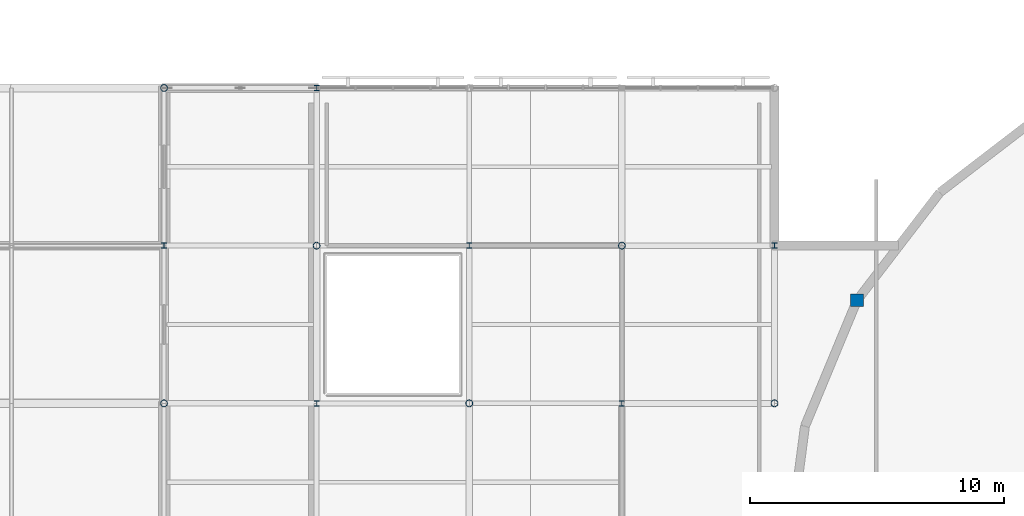
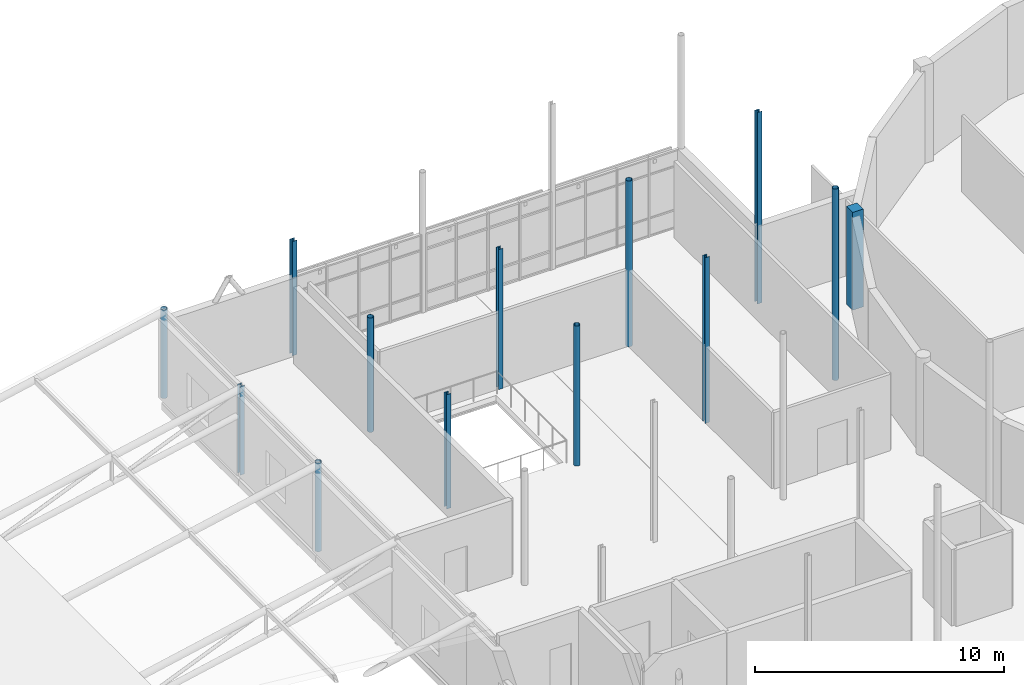
# One storey, part 8 of 66: 13 columns.
"""IFC4 building model written with IfcOpenShell, lengths in metres."""

import ifcopenshell
import ifcopenshell.guid

model = None  # the IFC model being written
_history = None  # IfcOwnerHistory: only IFC2X3 demands one
_inside = {}  # id of a spatial element -> (the spatial element, [elements in it])
_under = {}  # id of a project, library or spatial element -> (it, [spatial elements below it])
_declared = {}  # id of a project -> (the project, [libraries it declares])
_typed = {}  # id of a type object -> (the type object, [elements of that type])
_made_of = {}  # id of a material, layer set ... -> (it, [elements and type objects made of it])


def new_model(schema):
    """Start an empty IFC model of exactly this schema.

    Asked for "IFC4X3", IfcOpenShell would pick the latest addendum, in which some entities
    have other attributes; the version numbers below select the first issue.
    IFC2X3 requires an IfcOwnerHistory on every rooted entity: one is made here for all.
    """
    global model, _history
    if schema == "IFC4X3":
        model = ifcopenshell.file(schema_version=(4, 3, 0, 0))
    else:
        model = ifcopenshell.file(schema=schema)
    _inside.clear()
    _under.clear()
    _declared.clear()
    _typed.clear()
    _made_of.clear()
    _history = None
    if model.schema == "IFC2X3":
        org = make("IfcOrganization", Name="unknown")
        user = make(
            "IfcPersonAndOrganization",
            ThePerson=make("IfcPerson", FamilyName="unknown"),
            TheOrganization=org,
        )
        app = make(
            "IfcApplication",
            ApplicationDeveloper=org,
            Version="unknown",
            ApplicationFullName="unknown",
            ApplicationIdentifier="unknown",
        )
        _history = make(
            "IfcOwnerHistory",
            OwningUser=user,
            OwningApplication=app,
            ChangeAction="ADDED",
            CreationDate=0,
        )
    return model


def make(cls, **values):
    """One entity of the class cls with the attributes given. An attribute that is None is left unset."""
    return model.create_entity(
        cls, **{name: value for name, value in values.items() if value is not None}
    )


def rooted(cls, **values):
    """An entity with a GlobalId (a new one), such as an element, a storey or a relation."""
    return make(cls, GlobalId=ifcopenshell.guid.new(), OwnerHistory=_history, **values)


def si_unit(unit_type, name, prefix=None):
    """IfcSIUnit, for example si_unit("LENGTHUNIT", "METRE", prefix="MILLI")."""
    return make("IfcSIUnit", UnitType=unit_type, Prefix=prefix, Name=name)


def assignment(units):
    """IfcUnitAssignment: the units of a project."""
    return None if units is None else make("IfcUnitAssignment", Units=units)


def point(xyz):
    """IfcCartesianPoint."""
    return None if xyz is None else make("IfcCartesianPoint", Coordinates=xyz)


def direction(xyz):
    """IfcDirection."""
    return None if xyz is None else make("IfcDirection", DirectionRatios=xyz)


def frame(location, z_axis=None, x_axis=None):
    """IfcAxis2Placement3D, a coordinate frame: its origin and axes. An axis left out is left unset."""
    return make(
        "IfcAxis2Placement3D",
        Location=point(location),
        Axis=direction(z_axis),
        RefDirection=direction(x_axis),
    )


def frame_2d(location, x_axis=None):
    """IfcAxis2Placement2D, a coordinate frame in the plane: its origin and x axis."""
    return make(
        "IfcAxis2Placement2D", Location=point(location), RefDirection=direction(x_axis)
    )


def origin():
    """The frame at (0, 0, 0) with its axes left unset."""
    return frame((0.0, 0.0, 0.0))


def origin_2d():
    """The frame at (0, 0) in the plane with its x axis left unset."""
    return frame_2d((0.0, 0.0))


def place(relative_to, where):
    """IfcLocalPlacement: puts the frame where relative to a parent placement (None: the world)."""
    return make(
        "IfcLocalPlacement", PlacementRelTo=relative_to, RelativePlacement=where
    )


def context(
    kind, dimensions, precision=None, world=None, true_north=None, identifier=None
):
    """IfcGeometricRepresentationContext, for example the 3D "Model" context."""
    return make(
        "IfcGeometricRepresentationContext",
        ContextIdentifier=identifier,
        ContextType=kind,
        CoordinateSpaceDimension=dimensions,
        Precision=precision,
        WorldCoordinateSystem=world,
        TrueNorth=true_north,
    )


def subcontext(parent, identifier, kind, view, scale=None):
    """IfcGeometricRepresentationSubContext, for example "Body" below "Model"."""
    return make(
        "IfcGeometricRepresentationSubContext",
        ContextIdentifier=identifier,
        ContextType=kind,
        ParentContext=parent,
        TargetScale=scale,
        TargetView=view,
    )


def project(units=None, contexts=None):
    """IfcProject with its units and contexts."""
    return rooted(
        "IfcProject",
        Name="project",
        RepresentationContexts=contexts,
        UnitsInContext=assignment(units),
    )


def spatial(cls, under=None, at=None, **own):
    """A site, building, storey or space (cls), placed at a placement, below another one or the project."""
    s = rooted(cls, ObjectPlacement=at, **own)
    if under is not None:
        _under.setdefault(under.id(), (under, []))[1].append(s)
    return s


def profile(cls, at=None, kind="AREA", **sizes):
    """A parametric profile (cls). Its sizes go by their IFC names, for example OverallWidth=200.0."""
    return make(cls, ProfileType=kind, Position=at, **sizes)


def rectangle(**sizes):
    """IfcRectangleProfileDef."""
    return profile("IfcRectangleProfileDef", **sizes)


def hollow_circle(**sizes):
    """IfcCircleHollowProfileDef."""
    return profile("IfcCircleHollowProfileDef", **sizes)


def i_section(**sizes):
    """IfcIShapeProfileDef."""
    return profile("IfcIShapeProfileDef", **sizes)


def extrude(swept, where, along, depth):
    """IfcExtrudedAreaSolid: the profile swept, set in the frame where, extruded along a direction by depth."""
    return make(
        "IfcExtrudedAreaSolid",
        SweptArea=swept,
        Position=where,
        ExtrudedDirection=direction(along),
        Depth=depth,
    )


def shape(context_of_items, identifier, shape_type, items):
    """IfcShapeRepresentation: the items that make up one representation, for example the "Body"."""
    return make(
        "IfcShapeRepresentation",
        ContextOfItems=context_of_items,
        RepresentationIdentifier=identifier,
        RepresentationType=shape_type,
        Items=items,
    )


def material(Name=None, Category=None):
    """IfcMaterial."""
    return make("IfcMaterial", Name=Name, Category=Category)


def material_profile(
    of_material, cross_section, Name=None, Category=None, Priority=None
):
    """IfcMaterialProfile: a cross section and its material."""
    return make(
        "IfcMaterialProfile",
        Name=Name,
        Material=of_material,
        Profile=cross_section,
        Priority=Priority,
        Category=Category,
    )


def profile_set(profiles, Name=None, composite=None):
    """IfcMaterialProfileSet."""
    return make(
        "IfcMaterialProfileSet",
        Name=Name,
        MaterialProfiles=profiles,
        CompositeProfile=composite,
    )


def made_of(thing, what):
    """Note that an element or type object is made of a material, layer set ...; save() writes the relation."""
    if what is not None:
        _made_of.setdefault(what.id(), (what, []))[1].append(thing)
    return thing


def type_object(cls, material=None, **own):
    """A type object (cls), such as IfcWallType, which elements share."""
    return made_of(rooted(cls, **own), material)


def element(
    cls,
    number,
    at=None,
    inside=None,
    cuts=None,
    type_object=None,
    material=None,
    context=None,
    identifier="Body",
    shape_type=None,
    held_by="IfcProductDefinitionShape",
    body=None,
    shapes=None,
    **own,
):
    """One element of the class cls, such as IfcWall. Its Tag is "e" and its number.

    at: its placement. inside: the storey or other place that contains it. cuts: it is an
    opening in that element (IfcRelVoidsElement). A single representation is given by context,
    identifier, shape_type and body (its items); several are given by shapes. held_by: the class
    of the entity that holds the representations. save() writes the other relations.
    """
    e = rooted(cls, Tag="e%d" % number, ObjectPlacement=at, **own)
    if body is not None:
        shapes = [shape(context, identifier, shape_type, body)]
    if shapes is not None:
        e.Representation = make(held_by, Representations=shapes)
    if inside is not None:
        _inside.setdefault(inside.id(), (inside, []))[1].append(e)
    if cuts is not None:
        rooted(
            "IfcRelVoidsElement", RelatingBuildingElement=cuts, RelatedOpeningElement=e
        )
    if type_object is not None:
        _typed.setdefault(type_object.id(), (type_object, []))[1].append(e)
    return made_of(e, material)


def aggregate(whole, parts):
    """IfcRelAggregates: a whole, such as a stair, and the parts it consists of."""
    return rooted("IfcRelAggregates", RelatingObject=whole, RelatedObjects=parts)


def save(model, path):
    """Write the relations noted so far, then the file.

    IfcRelAggregates (storeys below a building ...), IfcRelContainedInSpatialStructure (elements
    in a storey), IfcRelDefinesByType, IfcRelAssociatesMaterial and IfcRelDeclares: one each for
    every whole, place, type object, material and project.
    """
    for whole, parts in _under.values():
        aggregate(whole, parts)
    for where, things in _inside.values():
        rooted(
            "IfcRelContainedInSpatialStructure",
            RelatedElements=things,
            RelatingStructure=where,
        )
    for kind, things in _typed.values():
        rooted("IfcRelDefinesByType", RelatedObjects=things, RelatingType=kind)
    for what, things in _made_of.values():
        rooted("IfcRelAssociatesMaterial", RelatedObjects=things, RelatingMaterial=what)
    for by, libraries in _declared.values():
        rooted("IfcRelDeclares", RelatingContext=by, RelatedDefinitions=libraries)
    model.write(path)


model = new_model("IFC4")

# Units and contexts
model_context = context("Model", 3, precision=1e-05, world=origin(), true_north=direction((0.0, 1.0)))
body_context = subcontext(model_context, "Body", "Model", "MODEL_VIEW")
ifc_project = project(units=[si_unit("LENGTHUNIT", "METRE"), si_unit("AREAUNIT", "SQUARE_METRE"), si_unit("VOLUMEUNIT", "CUBIC_METRE"), si_unit("PLANEANGLEUNIT", "RADIAN"), si_unit("MASSUNIT", "GRAM", prefix="KILO")], contexts=[model_context])

# Site, building, storey
site_placement = place(None, origin())
site = spatial("IfcSite", under=ifc_project, at=site_placement, CompositionType="ELEMENT")
building_placement = place(site_placement, origin())
building = spatial("IfcBuilding", under=site, at=building_placement, Name="Mirzam Square Science Centre", CompositionType="ELEMENT")
storey_placement = place(building_placement, frame((0.0, 0.0, 15.60009765625)))
storey = spatial("IfcBuildingStorey", under=building, at=storey_placement, Name="L03", CompositionType="ELEMENT", Elevation=15.60009765625)

# Columns
ifc_material_1 = material(Name="Steel S355", Category="steel")
ifc_material_profile_1 = material_profile(ifc_material_1, hollow_circle(Radius=0.136474609375, WallThickness=0.010009765625, at=origin_2d()), Name="273.0x10.0CHS")
ifc_profile_set_1 = profile_set([ifc_material_profile_1], Name="Steel S355")
column_type_1 = type_object("IfcColumnType", Name="COL-CHS273", PredefinedType="COLUMN", material=ifc_profile_set_1)
for number, where, z_axis, x_axis, name in (
    (1, (36.0, 68.199951171875, 0.0), (0.0, 0.0, 1.0), (1.0, 0.0, 0.0), "L03 column G07-12"),
    (2, (36.0, 80.60009765625, 0.0), (0.0, 0.0, 1.0), (1.0, 0.0, 0.0), "L03 column G07-14"),
):
    element("IfcColumn", number, at=place(storey_placement, frame(where, z_axis=z_axis, x_axis=x_axis)), inside=storey, type_object=column_type_1, Name=name, PredefinedType="COLUMN", context=body_context, shape_type="SweptSolid", body=[
        extrude(hollow_circle(Radius=0.136474609375, WallThickness=0.010009765625, at=origin_2d()), origin(), (0.0, 0.0, 1.0), 4.349853515625),
    ])
column_1_placement = place(storey_placement, frame((42.0, 74.39990234375, 0.0), z_axis=(0.0, 0.0, 1.0), x_axis=(1.0, 0.0, 0.0)))
element("IfcColumn", 3, at=column_1_placement, inside=storey, type_object=column_type_1, Name="L03 column G08-13", PredefinedType="COLUMN", context=body_context, shape_type="SweptSolid", body=[
    extrude(hollow_circle(Radius=0.136474609375, WallThickness=0.010009765625, at=origin_2d()), origin(), (0.0, 0.0, 1.0), 5.60986328125),
])
column_2_placement = place(storey_placement, frame((48.0, 68.199951171875, 0.0), z_axis=(0.0, 0.0, 1.0), x_axis=(1.0, 0.0, 0.0)))
element("IfcColumn", 4, at=column_2_placement, inside=storey, type_object=column_type_1, Name="L03 column G09-12", PredefinedType="COLUMN", context=body_context, shape_type="SweptSolid", body=[
    extrude(hollow_circle(Radius=0.136474609375, WallThickness=0.010009765625, at=origin_2d()), origin(), (0.0, 0.0, 1.0), 6.869873046875),
])
column_3_placement = place(storey_placement, frame((54.0, 74.39990234375, 0.0), z_axis=(0.0, 0.0, 1.0), x_axis=(1.0, 0.0, 0.0)))
element("IfcColumn", 5, at=column_3_placement, inside=storey, type_object=column_type_1, Name="L03 column G10-13", PredefinedType="COLUMN", context=body_context, shape_type="SweptSolid", body=[
    extrude(hollow_circle(Radius=0.136474609375, WallThickness=0.010009765625, at=origin_2d()), origin(), (0.0, 0.0, 1.0), 8.1298828125),
])
column_4_placement = place(storey_placement, frame((60.0, 68.199951171875, 0.0), z_axis=(0.0, 0.0, 1.0), x_axis=(1.0, 0.0, 0.0)))
element("IfcColumn", 6, at=column_4_placement, inside=storey, type_object=column_type_1, Name="L03 column G11-12", PredefinedType="COLUMN", context=body_context, shape_type="SweptSolid", body=[
    extrude(hollow_circle(Radius=0.136474609375, WallThickness=0.010009765625, at=origin_2d()), origin(), (0.0, 0.0, 1.0), 9.389892578125),
])
ifc_material_profile_2 = material_profile(ifc_material_1, i_section(OverallWidth=0.205810546875, OverallDepth=0.209716796875, WebThickness=0.009521484375, FlangeThickness=0.01416015625, FilletRadius=0.01025390625, at=origin_2d()), Name="203x203x60UC")
ifc_profile_set_2 = profile_set([ifc_material_profile_2], Name="Steel S355")
column_type_2 = type_object("IfcColumnType", Name="COL-UC203A", PredefinedType="COLUMN", material=ifc_profile_set_2)
column_5_placement = place(storey_placement, frame((36.0, 74.39990234375, 0.0), z_axis=(0.0, 0.0, 1.0), x_axis=(1.0, 0.0, 0.0)))
element("IfcColumn", 7, at=column_5_placement, inside=storey, type_object=column_type_2, Name="L03 column G07-13", PredefinedType="COLUMN", context=body_context, shape_type="SweptSolid", body=[
    extrude(i_section(OverallWidth=0.205810546875, OverallDepth=0.209716796875, WebThickness=0.009521484375, FlangeThickness=0.01416015625, FilletRadius=0.01025390625, at=origin_2d()), origin(), (0.0, 0.0, 1.0), 4.349853515625),
])
for number, where, z_axis, x_axis, name in (
    (8, (42.0, 68.199951171875, 0.0), (0.0, 0.0, 1.0), (1.0, 0.0, 0.0), "L03 column G08-12"),
    (9, (42.0, 80.60009765625, 0.0), (0.0, 0.0, 1.0), (1.0, 0.0, 0.0), "L03 column G08-14"),
):
    element("IfcColumn", number, at=place(storey_placement, frame(where, z_axis=z_axis, x_axis=x_axis)), inside=storey, type_object=column_type_2, Name=name, PredefinedType="COLUMN", context=body_context, shape_type="SweptSolid", body=[
        extrude(i_section(OverallWidth=0.205810546875, OverallDepth=0.209716796875, WebThickness=0.009521484375, FlangeThickness=0.01416015625, FilletRadius=0.01025390625, at=origin_2d()), origin(), (0.0, 0.0, 1.0), 5.60986328125),
    ])
column_6_placement = place(storey_placement, frame((48.0, 74.39990234375, 0.0), z_axis=(0.0, 0.0, 1.0), x_axis=(1.0, 0.0, 0.0)))
element("IfcColumn", 10, at=column_6_placement, inside=storey, type_object=column_type_2, Name="L03 column G09-13", PredefinedType="COLUMN", context=body_context, shape_type="SweptSolid", body=[
    extrude(i_section(OverallWidth=0.205810546875, OverallDepth=0.209716796875, WebThickness=0.009521484375, FlangeThickness=0.01416015625, FilletRadius=0.01025390625, at=origin_2d()), origin(), (0.0, 0.0, 1.0), 6.869873046875),
])
column_7_placement = place(storey_placement, frame((54.0, 68.199951171875, 0.0), z_axis=(0.0, 0.0, 1.0), x_axis=(1.0, 0.0, 0.0)))
element("IfcColumn", 11, at=column_7_placement, inside=storey, type_object=column_type_2, Name="L03 column G10-12", PredefinedType="COLUMN", context=body_context, shape_type="SweptSolid", body=[
    extrude(i_section(OverallWidth=0.205810546875, OverallDepth=0.209716796875, WebThickness=0.009521484375, FlangeThickness=0.01416015625, FilletRadius=0.01025390625, at=origin_2d()), origin(), (0.0, 0.0, 1.0), 8.1298828125),
])
column_8_placement = place(storey_placement, frame((60.0, 74.39990234375, 0.0), z_axis=(0.0, 0.0, 1.0), x_axis=(1.0, 0.0, 0.0)))
element("IfcColumn", 12, at=column_8_placement, inside=storey, type_object=column_type_2, Name="L03 column G11-13", PredefinedType="COLUMN", context=body_context, shape_type="SweptSolid", body=[
    extrude(i_section(OverallWidth=0.205810546875, OverallDepth=0.209716796875, WebThickness=0.009521484375, FlangeThickness=0.01416015625, FilletRadius=0.01025390625, at=origin_2d()), origin(), (0.0, 0.0, 1.0), 9.389892578125),
])
ifc_material_2 = material(Name="Concrete C45/55", Category="concrete")
ifc_material_profile_3 = material_profile(ifc_material_2, rectangle(XDim=0.5, YDim=0.5, at=origin_2d()), Name="RC500x500")
ifc_profile_set_3 = profile_set([ifc_material_profile_3], Name="Concrete C45/55")
column_type_3 = type_object("IfcColumnType", Name="PIL-RC500", PredefinedType="PILASTER", material=ifc_profile_set_3)
column_9_placement = place(storey_placement, frame((63.24658203125, 72.25, 0.0), z_axis=(0.0, 0.0, 1.0), x_axis=(1.0, 0.0, 0.0)))
element("IfcColumn", 13, at=column_9_placement, inside=storey, type_object=column_type_3, Name="L03 drum pilaster 11", PredefinedType="PILASTER", context=body_context, shape_type="SweptSolid", body=[
    extrude(rectangle(XDim=0.5, YDim=0.5, at=origin_2d()), origin(), (0.0, 0.0, 1.0), 4.7998046875),
])

save(model, "model.ifc")
